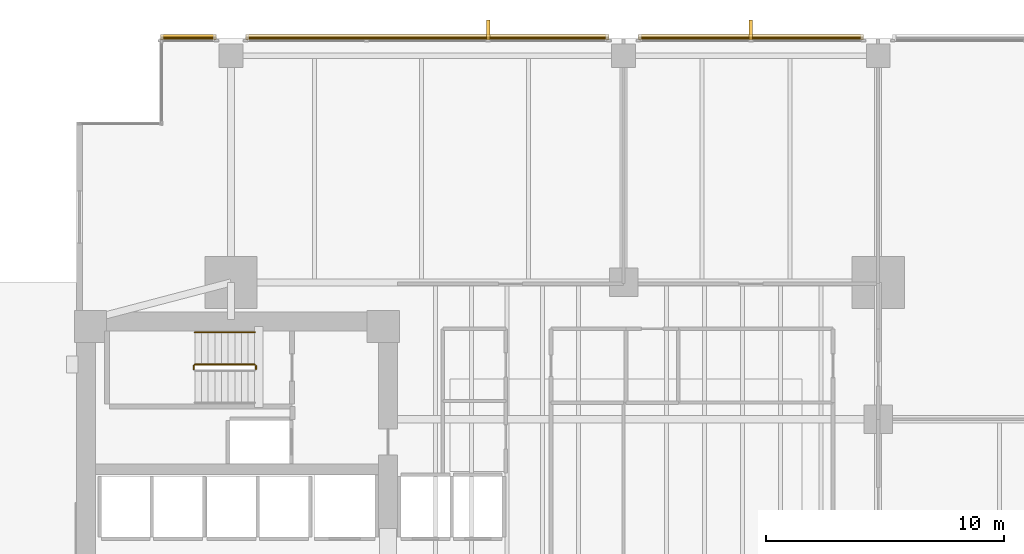
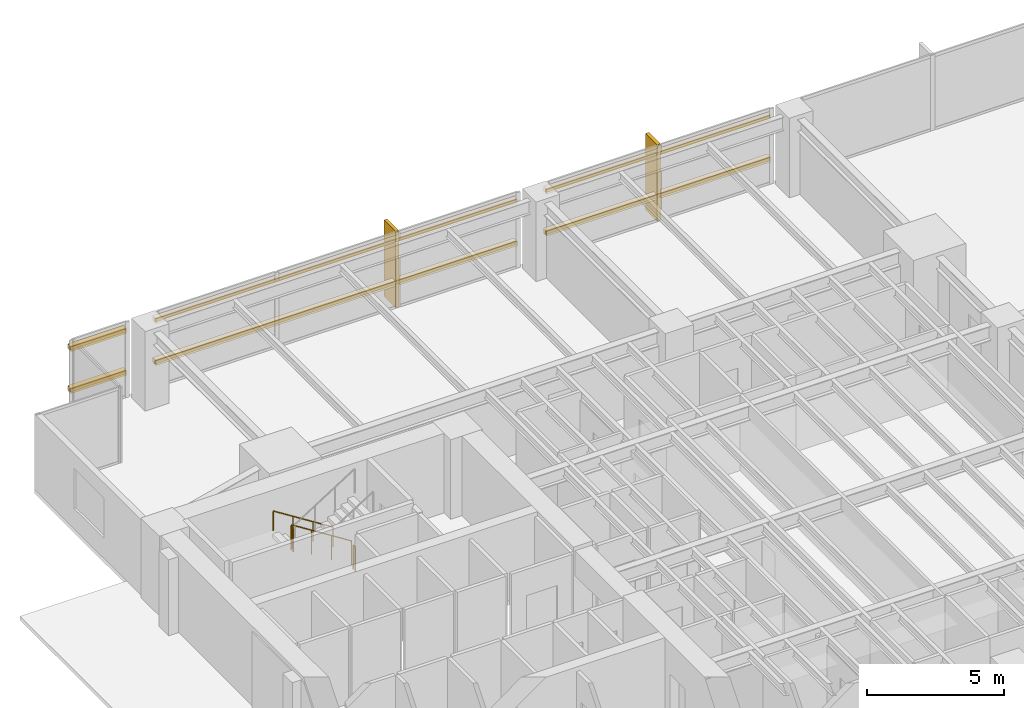
# One storey, part 15 of 16: 8 coverings, 6 shading devices, 4 railings.
"""IFC4 building model written with IfcOpenShell, lengths in metres."""

from ifc_helpers import new_model, si_unit, direction, frame, origin, origin_2d, place, context, subcontext, project, spatial, polyline, rectangle, circle, outline, extrude, material, layer, layer_set, material_profile, profile_set, type_object, element, save


model = new_model("IFC4")

# Units and contexts
model_context = context("Model", 3, precision=1e-05, world=origin(), true_north=direction((0.0, 1.0)))
body_context = subcontext(model_context, "Body", "Model", "MODEL_VIEW")
ifc_project = project(units=[si_unit("LENGTHUNIT", "METRE"), si_unit("AREAUNIT", "SQUARE_METRE"), si_unit("VOLUMEUNIT", "CUBIC_METRE"), si_unit("PLANEANGLEUNIT", "RADIAN"), si_unit("MASSUNIT", "GRAM", prefix="KILO")], contexts=[model_context])

# Site, building, storey
site_placement = place(None, origin())
site = spatial("IfcSite", under=ifc_project, at=site_placement, CompositionType="ELEMENT")
building_placement = place(site_placement, origin())
building = spatial("IfcBuilding", under=site, at=building_placement, Name="Kinhvarn Gate Tower", CompositionType="ELEMENT")
storey_placement = place(building_placement, frame((0.0, 0.0, 25.60009765625)))
storey = spatial("IfcBuildingStorey", under=building, at=storey_placement, Name="L05", CompositionType="ELEMENT", Elevation=25.60009765625)

# Coverings
ifc_material_1 = material(Name="Fired architectural terracotta", Category="masonry")
ifc_layer_1 = layer(ifc_material_1, 0.239990234375)
ifc_layer_set_1 = layer_set([ifc_layer_1], Name="Fired architectural terracotta")
covering_type_1 = type_object("IfcCoveringType", Name="COV-BAG-220", PredefinedType="CLADDING", material=ifc_layer_set_1)
for number, where, name in (
    (1, (0.0, 0.0, 0.93994140625), "Terracotta Horizontal Sunscreen Band TBG-220 (L05)"),
    (2, (0.0, 0.0, 2.809814453125), "Terracotta Horizontal Sunscreen Band TBG-220 (L05)"),
):
    element("IfcCovering", number, at=place(storey_placement, frame(where)), inside=storey, type_object=covering_type_1, Name=name, PredefinedType="CLADDING", context=body_context, shape_type="SweptSolid", body=[
        extrude(outline(polyline([(37.580078125, 47.93994140625), (28.1201171875, 47.93994140625), (28.1201171875, 48.179931640625), (37.580078125, 48.179931640625), (37.580078125, 47.93994140625)])), origin(), (0.0, 0.0, 1.0), 0.219970703125),
    ])
for number, where, name in (
    (3, (0.0, 0.0, 0.93994140625), "Terracotta Horizontal Sunscreen Band TBG-220 (L05)"),
    (4, (0.0, 0.0, 2.809814453125), "Terracotta Horizontal Sunscreen Band TBG-220 (L05)"),
):
    element("IfcCovering", number, at=place(storey_placement, frame(where)), inside=storey, type_object=covering_type_1, Name=name, PredefinedType="CLADDING", context=body_context, shape_type="SweptSolid", body=[
        extrude(outline(polyline([(26.8798828125, 47.93994140625), (11.6201171875, 47.93994140625), (11.6201171875, 48.179931640625), (26.8798828125, 48.179931640625), (26.8798828125, 47.93994140625)])), origin(), (0.0, 0.0, 1.0), 0.219970703125),
    ])
for number, where, name in (
    (5, (0.0, 0.0, 0.93994140625), "Terracotta Horizontal Sunscreen Band TBG-220 (L05)"),
    (6, (0.0, 0.0, 2.809814453125), "Terracotta Horizontal Sunscreen Band TBG-220 (L05)"),
):
    element("IfcCovering", number, at=place(storey_placement, frame(where)), inside=storey, type_object=covering_type_1, Name=name, PredefinedType="CLADDING", context=body_context, shape_type="SweptSolid", body=[
        extrude(outline(polyline([(10.3798828125, 47.93994140625), (8.0400390625, 47.93994140625), (8.0400390625, 48.179931640625), (10.3798828125, 48.179931640625), (10.3798828125, 47.93994140625)])), origin(), (0.0, 0.0, 1.0), 0.219970703125),
    ])
ifc_layer_2 = layer(ifc_material_1, 0.139892578125)
ifc_layer_set_2 = layer_set([ifc_layer_2], Name="Fired architectural terracotta")
covering_type_2 = type_object("IfcCoveringType", Name="COV-FIN-850", PredefinedType="CLADDING", material=ifc_layer_set_2)
covering_1_placement = place(storey_placement, frame((0.0, 0.0, -0.02001953125)))
element("IfcCovering", 7, at=covering_1_placement, inside=storey, type_object=covering_type_2, Name="Vertical Terracotta Expressive Fin TFN-850 (L05)", PredefinedType="CLADDING", context=body_context, shape_type="SweptSolid", body=[
    extrude(outline(polyline([(32.919921875, 47.929931640625), (32.780029296875, 47.929931640625), (32.780029296875, 48.780029296875), (32.919921875, 48.780029296875), (32.919921875, 47.929931640625)])), origin(), (0.0, 0.0, 1.0), 3.409912109375),
])
covering_2_placement = place(storey_placement, frame((0.0, 0.0, -0.02001953125)))
element("IfcCovering", 8, at=covering_2_placement, inside=storey, type_object=covering_type_2, Name="Vertical Terracotta Expressive Fin TFN-850 (L05)", PredefinedType="CLADDING", context=body_context, shape_type="SweptSolid", body=[
    extrude(outline(polyline([(21.876708984375, 47.929931640625), (21.73681640625, 47.929931640625), (21.73681640625, 48.780029296875), (21.876708984375, 48.780029296875), (21.876708984375, 47.929931640625)])), origin(), (0.0, 0.0, 1.0), 3.409912109375),
])

# Railings
ifc_material_2 = material(Name="Steel S355", Category="steel")
railing_type_1 = type_object("IfcRailingType", Name="RL-ST-GRD", PredefinedType="BALUSTRADE", material=ifc_material_2)
railing_1_placement = place(storey_placement, frame((12.0, 34.300048828125, 0.177490234375)))
element("IfcRailing", 9, at=railing_1_placement, inside=storey, type_object=railing_type_1, Name="L05 ST2 stair guard 1", PredefinedType="BALUSTRADE", context=body_context, shape_type="SweptSolid", body=[
    extrude(circle(Radius=0.02392578125, at=origin_2d()), frame((0.0, 0.0, 1.076171875), z_axis=(-0.84460694969, 0.0, 0.535386869969), x_axis=(0.0, -1.0, 0.0)), (0.0, 0.0, 1.0), 2.983642578125),
    extrude(circle(Radius=0.02099609375, at=origin_2d()), origin(), (0.0, 0.0, 1.0), 1.052001953125),
    extrude(circle(Radius=0.02099609375, at=origin_2d()), frame((-0.840087890625, 0.0, 0.532470703125)), (0.0, 0.0, 1.0), 1.052001953125),
    extrude(circle(Radius=0.02099609375, at=origin_2d()), frame((-1.679931640625, 0.0, 1.06494140625)), (0.0, 0.0, 1.0), 1.052001953125),
    extrude(circle(Radius=0.02099609375, at=origin_2d()), frame((-2.52001953125, 0.0, 1.597412109375)), (0.0, 0.0, 1.0), 1.052001953125),
])
for number, where, name in (
    (10, (9.429931640625, 34.25, 1.77490234375), "L05 ST2 stair guard 2"),
    (11, (12.050048828125, 34.25, 0.0), "L05 ST2 stair guard 4"),
):
    element("IfcRailing", number, at=place(storey_placement, frame(where)), inside=storey, type_object=railing_type_1, Name=name, PredefinedType="BALUSTRADE", context=body_context, shape_type="SweptSolid", body=[
        extrude(circle(Radius=0.02392578125, at=origin_2d()), frame((0.0, 0.0, 1.076171875), z_axis=(0.0, -1.0, 0.0), x_axis=(1.0, 0.0, 0.0)), (0.0, 0.0, 1.0), 0.14990234375),
        extrude(circle(Radius=0.02099609375, at=origin_2d()), origin(), (0.0, 0.0, 1.0), 1.052001953125),
        extrude(circle(Radius=0.02099609375, at=origin_2d()), frame((0.0, -0.14990234375, 0.0)), (0.0, 0.0, 1.0), 1.052001953125),
    ])
railing_type_2 = type_object("IfcRailingType", Name="RL-ST-HND", PredefinedType="HANDRAIL", material=ifc_material_2)
railing_2_placement = place(storey_placement, frame((12.0, 35.64990234375, 0.177490234375)))
element("IfcRailing", 12, at=railing_2_placement, inside=storey, type_object=railing_type_2, Name="L05 ST2 stair handrail 1", PredefinedType="HANDRAIL", context=body_context, shape_type="SweptSolid", body=[
    extrude(circle(Radius=0.02392578125, at=origin_2d()), frame((0.0, 0.0, 0.8759765625), z_axis=(-0.84460694969, 0.0, 0.535386869969), x_axis=(0.0, -1.0, 0.0)), (0.0, 0.0, 1.0), 2.983642578125),
    extrude(circle(Radius=0.02099609375, at=origin_2d()), origin(), (0.0, 0.0, 1.0), 0.851806640625),
    extrude(circle(Radius=0.02099609375, at=origin_2d()), frame((-0.840087890625, 0.0, 0.532470703125)), (0.0, 0.0, 1.0), 0.851806640625),
    extrude(circle(Radius=0.02099609375, at=origin_2d()), frame((-1.679931640625, 0.0, 1.06494140625)), (0.0, 0.0, 1.0), 0.851806640625),
    extrude(circle(Radius=0.02099609375, at=origin_2d()), frame((-2.52001953125, 0.0, 1.597412109375)), (0.0, 0.0, 1.0), 0.851806640625),
])

# Shading devices
ifc_material_profile = material_profile(ifc_material_1, rectangle(XDim=0.06005859375, YDim=0.139892578125, at=origin_2d()), Name="TC 60x140")
ifc_profile_set = profile_set([ifc_material_profile], Name="Fired architectural terracotta")
shading_device_type = type_object("IfcShadingDeviceType", Name="SHD-BAG-180", PredefinedType="USERDEFINED", material=ifc_profile_set)
for number, where, z_axis, x_axis, name in (
    (13, (37.580078125, 48.014892578125, 1.0498046875), (-1.0, 0.0, 0.0), (0.0, -1.0, 0.0), "Fired Terracotta Baguette Screen Rod 60x140 mm (L05)"),
    (14, (37.580078125, 48.014892578125, 2.919921875), (-1.0, 0.0, 0.0), (0.0, -1.0, 0.0), "Fired Terracotta Baguette Screen Rod 60x140 mm (L05)"),
):
    element("IfcShadingDevice", number, at=place(storey_placement, frame(where, z_axis=z_axis, x_axis=x_axis)), inside=storey, type_object=shading_device_type, Name=name, ObjectType="BAGUETTE", PredefinedType="USERDEFINED", context=body_context, shape_type="SweptSolid", body=[
        extrude(rectangle(XDim=0.06005859375, YDim=0.139892578125, at=origin_2d()), origin(), (0.0, 0.0, 1.0), 9.4599609375),
    ])
for number, where, z_axis, x_axis, name in (
    (15, (26.8798828125, 48.014892578125, 1.0498046875), (-1.0, 0.0, 0.0), (0.0, -1.0, 0.0), "Fired Terracotta Baguette Screen Rod 60x140 mm (L05)"),
    (16, (26.8798828125, 48.014892578125, 2.919921875), (-1.0, 0.0, 0.0), (0.0, -1.0, 0.0), "Fired Terracotta Baguette Screen Rod 60x140 mm (L05)"),
):
    element("IfcShadingDevice", number, at=place(storey_placement, frame(where, z_axis=z_axis, x_axis=x_axis)), inside=storey, type_object=shading_device_type, Name=name, ObjectType="BAGUETTE", PredefinedType="USERDEFINED", context=body_context, shape_type="SweptSolid", body=[
        extrude(rectangle(XDim=0.06005859375, YDim=0.139892578125, at=origin_2d()), origin(), (0.0, 0.0, 1.0), 15.259765625),
    ])
for number, where, z_axis, x_axis, name in (
    (17, (10.3798828125, 48.014892578125, 1.0498046875), (-1.0, 0.0, 0.0), (0.0, -1.0, 0.0), "Fired Terracotta Baguette Screen Rod 60x140 mm (L05)"),
    (18, (10.3798828125, 48.014892578125, 2.919921875), (-1.0, 0.0, 0.0), (0.0, -1.0, 0.0), "Fired Terracotta Baguette Screen Rod 60x140 mm (L05)"),
):
    element("IfcShadingDevice", number, at=place(storey_placement, frame(where, z_axis=z_axis, x_axis=x_axis)), inside=storey, type_object=shading_device_type, Name=name, ObjectType="BAGUETTE", PredefinedType="USERDEFINED", context=body_context, shape_type="SweptSolid", body=[
        extrude(rectangle(XDim=0.06005859375, YDim=0.139892578125, at=origin_2d()), origin(), (0.0, 0.0, 1.0), 2.33984375),
    ])

save(model, "model.ifc")
